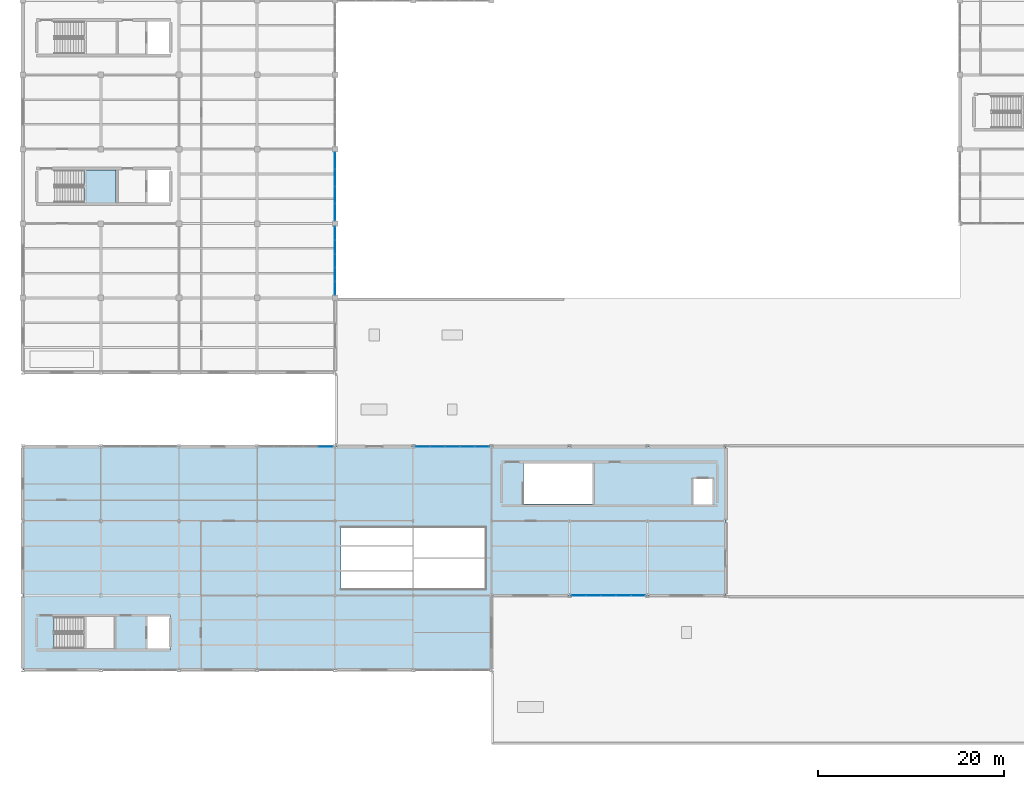
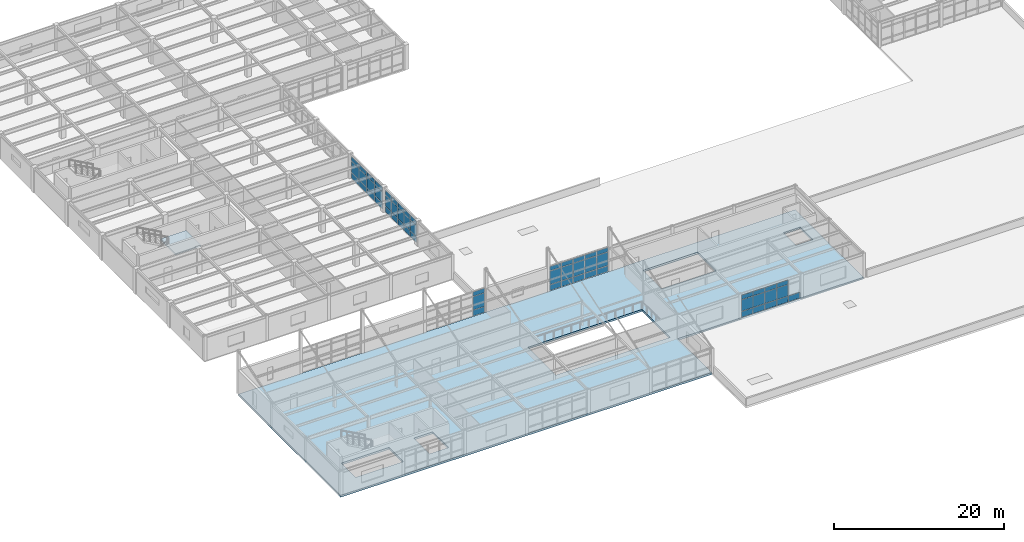
# One storey, part 37 of 96: 58 plates, 2 slabs, 6 elements without a shape of their own.
"""IFC4 building model written with IfcOpenShell, lengths in metres."""

from ifc_helpers import new_model, si_unit, direction, frame, origin, origin_2d, place, context, subcontext, project, spatial, polyline, rectangle, outline, extrude, material, layer, layer_set, type_object, element, aggregate, save


model = new_model("IFC4")

# Units and contexts
model_context = context("Model", 3, precision=1e-05, world=origin(), true_north=direction((0.0, 1.0)))
body_context = subcontext(model_context, "Body", "Model", "MODEL_VIEW")
ifc_project = project(units=[si_unit("LENGTHUNIT", "METRE"), si_unit("AREAUNIT", "SQUARE_METRE"), si_unit("VOLUMEUNIT", "CUBIC_METRE"), si_unit("PLANEANGLEUNIT", "RADIAN"), si_unit("MASSUNIT", "GRAM", prefix="KILO")], contexts=[model_context])

# Site, building, storey
site_placement = place(None, origin())
site = spatial("IfcSite", under=ifc_project, at=site_placement, CompositionType="ELEMENT")
building_placement = place(site_placement, origin())
building = spatial("IfcBuilding", under=site, at=building_placement, Name="Kranzveld Transit Interchange", CompositionType="ELEMENT")
storey_placement = place(building_placement, frame((0.0, 0.0, 9.52001953125)))
storey = spatial("IfcBuildingStorey", under=building, at=storey_placement, Name="L02", CompositionType="ELEMENT", Elevation=9.52001953125)

# Slab
ifc_material_1 = material(Name="Concrete C35/45", Category="concrete")
ifc_layer_1 = layer(ifc_material_1, 0.280029296875)
ifc_layer_set_1 = layer_set([ifc_layer_1], Name="Concrete C35/45")
slab_type_1 = type_object("IfcSlabType", Name="Composite Floor Slab 280 C35/45", PredefinedType="FLOOR", material=ifc_layer_set_1)
slab_1_placement = place(storey_placement, frame((0.0, 0.0, -0.280029296875)))
element("IfcSlab", 1, at=slab_1_placement, inside=storey, type_object=slab_type_1, Name="L02 Suspended Floor Slab 1", PredefinedType="FLOOR", context=body_context, shape_type="SweptSolid", body=[
    extrude(outline(polyline([(0.0, 40.0), (50.39990234375, 40.0), (75.60009765625, 40.0), (75.60009765625, 24.0), (50.39990234375, 24.0), (50.39990234375, 16.0), (0.0, 16.0), (0.0, 40.0)]), holes=[polyline([(9.85009765625, 21.679931640625), (3.367919921875, 21.679931640625), (3.367919921875, 18.320068359375), (9.85009765625, 18.320068359375), (9.85009765625, 21.679931640625)]), polyline([(15.89990234375, 21.860107421875), (13.324951171875, 21.860107421875), (13.324951171875, 18.139892578125), (15.89990234375, 18.139892578125), (15.89990234375, 21.860107421875)]), polyline([(49.75, 31.300048828125), (34.25, 31.300048828125), (34.25, 24.699951171875), (49.75, 24.699951171875), (49.75, 31.300048828125)]), polyline([(74.300048828125, 36.639892578125), (72.0, 36.639892578125), (72.0, 33.639892578125), (74.300048828125, 33.639892578125), (74.300048828125, 36.639892578125)]), polyline([(61.300048828125, 33.820068359375), (61.300048828125, 38.179931640625), (53.867919921875, 38.179931640625), (53.867919921875, 33.820068359375), (61.300048828125, 33.820068359375)])]), origin(), (0.0, 0.0, 1.0), 0.280029296875),
])

# Curtain wall, plates
ifc_material_2 = material(Name="Bronze-anodised thermally broken aluminium", Category="aluminium")
ifc_layer_2 = layer(ifc_material_2, 0.14990234375)
ifc_layer_set_2 = layer_set([ifc_layer_2], Name="Bronze-anodised thermally broken aluminium")
curtain_wall_type_1 = type_object("IfcCurtainWallType", Name="Public Passage Clerestory Screen CW-4", PredefinedType="USERDEFINED", material=ifc_layer_set_2)
curtain_wall_1_placement = place(storey_placement, origin())
curtain_wall_1 = element("IfcCurtainWall", 2, at=curtain_wall_1_placement, inside=storey, type_object=curtain_wall_type_1, Name="L02 Curtain Wall 04/F-05/F", ObjectType="CURTAIN WALL", PredefinedType="USERDEFINED")
ifc_material_3 = material(Name="Solar-control double glazing", Category="glass")
ifc_layer_3 = layer(ifc_material_3, 0.0419921875)
ifc_layer_set_3 = layer_set([ifc_layer_3], Name="Solar-control double glazing")
plate_type_1 = type_object("IfcPlateType", Name="Curtain Panel Laminated Glazing 42", PredefinedType="CURTAIN_PANEL", material=ifc_layer_set_3)
plate_1_placement = place(storey_placement, frame((32.59521484375, 40.0, 0.06005859375), z_axis=(0.0, 0.0, 1.0), x_axis=(1.0, 0.0, 0.0)))
plate_1 = element("IfcPlate", 3, at=plate_1_placement, type_object=plate_type_1, Name="CW-4 panel 5.1", PredefinedType="CURTAIN_PANEL", context=body_context, shape_type="SweptSolid", body=[
    extrude(rectangle(XDim=1.51513671875, YDim=0.0419921875, at=origin_2d()), origin(), (0.0, 0.0, 1.0), 0.81005859375),
])
plate_2_placement = place(storey_placement, frame((32.59521484375, 40.0, 0.93017578125), z_axis=(0.0, 0.0, 1.0), x_axis=(1.0, 0.0, 0.0)))
plate_2 = element("IfcPlate", 4, at=plate_2_placement, type_object=plate_type_1, Name="CW-4 panel 5.2", PredefinedType="CURTAIN_PANEL", context=body_context, shape_type="SweptSolid", body=[
    extrude(rectangle(XDim=1.51513671875, YDim=0.0419921875, at=origin_2d()), origin(), (0.0, 0.0, 1.0), 1.909912109375),
])
plate_3_placement = place(storey_placement, frame((32.59521484375, 40.0, 2.89990234375), z_axis=(0.0, 0.0, 1.0), x_axis=(1.0, 0.0, 0.0)))
plate_3 = element("IfcPlate", 5, at=plate_3_placement, type_object=plate_type_1, Name="CW-4 panel 5.3", PredefinedType="CURTAIN_PANEL", context=body_context, shape_type="SweptSolid", body=[
    extrude(rectangle(XDim=1.51513671875, YDim=0.0419921875, at=origin_2d()), origin(), (0.0, 0.0, 1.0), 0.610107421875),
])
aggregate(curtain_wall_1, [plate_1, plate_2, plate_3])

ifc_material_4 = material(Name="Bronze-anodised thermally broken aluminium", Category="aluminium")
ifc_layer_4 = layer(ifc_material_4, 0.18505859375)
ifc_layer_set_4 = layer_set([ifc_layer_4], Name="Bronze-anodised thermally broken aluminium")
curtain_wall_type_2 = type_object("IfcCurtainWallType", Name="Control Crown Observation Facade CW-5", PredefinedType="USERDEFINED", material=ifc_layer_set_4)
curtain_wall_2_placement = place(storey_placement, origin())
curtain_wall_2 = element("IfcCurtainWall", 6, at=curtain_wall_2_placement, inside=storey, type_object=curtain_wall_type_2, Name="L02 Curtain Wall 06/F-07/F", ObjectType="CURTAIN WALL", PredefinedType="USERDEFINED")
ifc_material_5 = material(Name="Solar-control double glazing", Category="glass")
ifc_layer_5 = layer(ifc_material_5, 0.035888671875)
ifc_layer_set_5 = layer_set([ifc_layer_5], Name="Solar-control double glazing")
plate_type_2 = type_object("IfcPlateType", Name="Curtain Panel Triple Glazing 36", PredefinedType="CURTAIN_PANEL", material=ifc_layer_set_5)
plate_4_placement = place(storey_placement, frame((43.006103515625, 40.0, 0.06494140625), z_axis=(0.0, 0.0, 1.0), x_axis=(1.0, 0.0, 0.0)))
plate_4 = element("IfcPlate", 7, at=plate_4_placement, type_object=plate_type_2, Name="CW-5 panel 1.1", PredefinedType="CURTAIN_PANEL", context=body_context, shape_type="SweptSolid", body=[
    extrude(rectangle(XDim=1.507568359375, YDim=0.035888671875, at=origin_2d()), origin(), (0.0, 0.0, 1.0), 0.802490234375),
])
plate_5_placement = place(storey_placement, frame((43.006103515625, 40.0, 0.9326171875), z_axis=(0.0, 0.0, 1.0), x_axis=(1.0, 0.0, 0.0)))
plate_5 = element("IfcPlate", 8, at=plate_5_placement, type_object=plate_type_2, Name="CW-5 panel 1.2", PredefinedType="CURTAIN_PANEL", context=body_context, shape_type="SweptSolid", body=[
    extrude(rectangle(XDim=1.507568359375, YDim=0.035888671875, at=origin_2d()), origin(), (0.0, 0.0, 1.0), 1.905029296875),
])
plate_6_placement = place(storey_placement, frame((43.006103515625, 40.0, 2.90234375), z_axis=(0.0, 0.0, 1.0), x_axis=(1.0, 0.0, 0.0)))
plate_6 = element("IfcPlate", 9, at=plate_6_placement, type_object=plate_type_2, Name="CW-5 panel 1.3", PredefinedType="CURTAIN_PANEL", context=body_context, shape_type="SweptSolid", body=[
    extrude(rectangle(XDim=1.507568359375, YDim=0.035888671875, at=origin_2d()), origin(), (0.0, 0.0, 1.0), 0.6025390625),
])
plate_7_placement = place(storey_placement, frame((44.594970703125, 40.0, 0.06494140625), z_axis=(0.0, 0.0, 1.0), x_axis=(1.0, 0.0, 0.0)))
plate_7 = element("IfcPlate", 10, at=plate_7_placement, type_object=plate_type_2, Name="CW-5 panel 2.1", PredefinedType="CURTAIN_PANEL", context=body_context, shape_type="SweptSolid", body=[
    extrude(rectangle(XDim=1.5400390625, YDim=0.035888671875, at=origin_2d()), origin(), (0.0, 0.0, 1.0), 0.802490234375),
])
plate_8_placement = place(storey_placement, frame((44.594970703125, 40.0, 0.9326171875), z_axis=(0.0, 0.0, 1.0), x_axis=(1.0, 0.0, 0.0)))
plate_8 = element("IfcPlate", 11, at=plate_8_placement, type_object=plate_type_2, Name="CW-5 panel 2.2", PredefinedType="CURTAIN_PANEL", context=body_context, shape_type="SweptSolid", body=[
    extrude(rectangle(XDim=1.5400390625, YDim=0.035888671875, at=origin_2d()), origin(), (0.0, 0.0, 1.0), 1.905029296875),
])
plate_9_placement = place(storey_placement, frame((44.594970703125, 40.0, 2.90234375), z_axis=(0.0, 0.0, 1.0), x_axis=(1.0, 0.0, 0.0)))
plate_9 = element("IfcPlate", 12, at=plate_9_placement, type_object=plate_type_2, Name="CW-5 panel 2.3", PredefinedType="CURTAIN_PANEL", context=body_context, shape_type="SweptSolid", body=[
    extrude(rectangle(XDim=1.5400390625, YDim=0.035888671875, at=origin_2d()), origin(), (0.0, 0.0, 1.0), 0.6025390625),
])
plate_10_placement = place(storey_placement, frame((46.199951171875, 40.0, 0.06494140625), z_axis=(0.0, 0.0, 1.0), x_axis=(1.0, 0.0, 0.0)))
plate_10 = element("IfcPlate", 13, at=plate_10_placement, type_object=plate_type_2, Name="CW-5 panel 3.1", PredefinedType="CURTAIN_PANEL", context=body_context, shape_type="SweptSolid", body=[
    extrude(rectangle(XDim=1.5400390625, YDim=0.035888671875, at=origin_2d()), origin(), (0.0, 0.0, 1.0), 0.802490234375),
])
plate_11_placement = place(storey_placement, frame((46.199951171875, 40.0, 0.9326171875), z_axis=(0.0, 0.0, 1.0), x_axis=(1.0, 0.0, 0.0)))
plate_11 = element("IfcPlate", 14, at=plate_11_placement, type_object=plate_type_2, Name="CW-5 panel 3.2", PredefinedType="CURTAIN_PANEL", context=body_context, shape_type="SweptSolid", body=[
    extrude(rectangle(XDim=1.5400390625, YDim=0.035888671875, at=origin_2d()), origin(), (0.0, 0.0, 1.0), 1.905029296875),
])
plate_12_placement = place(storey_placement, frame((46.199951171875, 40.0, 2.90234375), z_axis=(0.0, 0.0, 1.0), x_axis=(1.0, 0.0, 0.0)))
plate_12 = element("IfcPlate", 15, at=plate_12_placement, type_object=plate_type_2, Name="CW-5 panel 3.3", PredefinedType="CURTAIN_PANEL", context=body_context, shape_type="SweptSolid", body=[
    extrude(rectangle(XDim=1.5400390625, YDim=0.035888671875, at=origin_2d()), origin(), (0.0, 0.0, 1.0), 0.6025390625),
])
plate_13_placement = place(storey_placement, frame((47.80517578125, 40.0, 0.06494140625), z_axis=(0.0, 0.0, 1.0), x_axis=(1.0, 0.0, 0.0)))
plate_13 = element("IfcPlate", 16, at=plate_13_placement, type_object=plate_type_2, Name="CW-5 panel 4.1", PredefinedType="CURTAIN_PANEL", context=body_context, shape_type="SweptSolid", body=[
    extrude(rectangle(XDim=1.5400390625, YDim=0.035888671875, at=origin_2d()), origin(), (0.0, 0.0, 1.0), 0.802490234375),
])
plate_14_placement = place(storey_placement, frame((47.80517578125, 40.0, 0.9326171875), z_axis=(0.0, 0.0, 1.0), x_axis=(1.0, 0.0, 0.0)))
plate_14 = element("IfcPlate", 17, at=plate_14_placement, type_object=plate_type_2, Name="CW-5 panel 4.2", PredefinedType="CURTAIN_PANEL", context=body_context, shape_type="SweptSolid", body=[
    extrude(rectangle(XDim=1.5400390625, YDim=0.035888671875, at=origin_2d()), origin(), (0.0, 0.0, 1.0), 1.905029296875),
])
plate_15_placement = place(storey_placement, frame((47.80517578125, 40.0, 2.90234375), z_axis=(0.0, 0.0, 1.0), x_axis=(1.0, 0.0, 0.0)))
plate_15 = element("IfcPlate", 18, at=plate_15_placement, type_object=plate_type_2, Name="CW-5 panel 4.3", PredefinedType="CURTAIN_PANEL", context=body_context, shape_type="SweptSolid", body=[
    extrude(rectangle(XDim=1.5400390625, YDim=0.035888671875, at=origin_2d()), origin(), (0.0, 0.0, 1.0), 0.6025390625),
])
plate_16_placement = place(storey_placement, frame((49.393798828125, 40.0, 0.06494140625), z_axis=(0.0, 0.0, 1.0), x_axis=(1.0, 0.0, 0.0)))
plate_16 = element("IfcPlate", 19, at=plate_16_placement, type_object=plate_type_2, Name="CW-5 panel 5.1", PredefinedType="CURTAIN_PANEL", context=body_context, shape_type="SweptSolid", body=[
    extrude(rectangle(XDim=1.507568359375, YDim=0.035888671875, at=origin_2d()), origin(), (0.0, 0.0, 1.0), 0.802490234375),
])
plate_17_placement = place(storey_placement, frame((49.393798828125, 40.0, 0.9326171875), z_axis=(0.0, 0.0, 1.0), x_axis=(1.0, 0.0, 0.0)))
plate_17 = element("IfcPlate", 20, at=plate_17_placement, type_object=plate_type_2, Name="CW-5 panel 5.2", PredefinedType="CURTAIN_PANEL", context=body_context, shape_type="SweptSolid", body=[
    extrude(rectangle(XDim=1.507568359375, YDim=0.035888671875, at=origin_2d()), origin(), (0.0, 0.0, 1.0), 1.905029296875),
])
plate_18_placement = place(storey_placement, frame((49.393798828125, 40.0, 2.90234375), z_axis=(0.0, 0.0, 1.0), x_axis=(1.0, 0.0, 0.0)))
plate_18 = element("IfcPlate", 21, at=plate_18_placement, type_object=plate_type_2, Name="CW-5 panel 5.3", PredefinedType="CURTAIN_PANEL", context=body_context, shape_type="SweptSolid", body=[
    extrude(rectangle(XDim=1.507568359375, YDim=0.035888671875, at=origin_2d()), origin(), (0.0, 0.0, 1.0), 0.6025390625),
])
aggregate(curtain_wall_2, [plate_4, plate_5, plate_6, plate_7, plate_8, plate_9, plate_10, plate_11, plate_12, plate_13, plate_14, plate_15, plate_16, plate_17, plate_18])

ifc_material_6 = material(Name="Bronze-anodised thermally broken aluminium", Category="aluminium")
ifc_layer_6 = layer(ifc_material_6, 0.1650390625)
ifc_layer_set_6 = layer_set([ifc_layer_6], Name="Bronze-anodised thermally broken aluminium")
curtain_wall_type_3 = type_object("IfcCurtainWallType", Name="Sunny Court Arcade Curtain Wall CW-2", PredefinedType="USERDEFINED", material=ifc_layer_set_6)
curtain_wall_3_placement = place(storey_placement, origin())
curtain_wall_3 = element("IfcCurtainWall", 22, at=curtain_wall_3_placement, inside=storey, type_object=curtain_wall_type_3, Name="L02 Curtain Wall 05/H-05/J", ObjectType="CURTAIN WALL", PredefinedType="USERDEFINED")
ifc_material_7 = material(Name="Pretoria red-purple clinker clay face brick, 35 MPa", Category="masonry")
ifc_layer_7 = layer(ifc_material_7, 0.050048828125)
ifc_layer_set_7 = layer_set([ifc_layer_7], Name="Pretoria red-purple clinker clay face brick, 35 MPa")
plate_type_3 = type_object("IfcPlateType", Name="Curtain Spandrel Clinker Tile 50", PredefinedType="CURTAIN_PANEL", material=ifc_layer_set_7)
plate_19_placement = place(storey_placement, frame((33.60009765625, 57.05615234375, 0.06005859375), z_axis=(0.0, 0.0, 1.0), x_axis=(0.0, 1.0, 0.0)))
plate_19 = element("IfcPlate", 23, at=plate_19_placement, type_object=plate_type_3, Name="CW-2 panel 1.1", PredefinedType="CURTAIN_PANEL", context=body_context, shape_type="SweptSolid", body=[
    extrude(rectangle(XDim=1.382568359375, YDim=0.050048828125, at=origin_2d()), origin(), (0.0, 0.0, 1.0), 0.81005859375),
])
plate_20_placement = place(storey_placement, frame((33.60009765625, 57.05615234375, 0.929931640625), z_axis=(0.0, 0.0, 1.0), x_axis=(0.0, 1.0, 0.0)))
plate_20 = element("IfcPlate", 24, at=plate_20_placement, type_object=plate_type_3, Name="CW-2 panel 1.2", PredefinedType="CURTAIN_PANEL", context=body_context, shape_type="SweptSolid", body=[
    extrude(rectangle(XDim=1.382568359375, YDim=0.050048828125, at=origin_2d()), origin(), (0.0, 0.0, 1.0), 1.55859375),
])
plate_21_placement = place(storey_placement, frame((33.60009765625, 57.05615234375, 2.54833984375), z_axis=(0.0, 0.0, 1.0), x_axis=(0.0, 1.0, 0.0)))
plate_21 = element("IfcPlate", 25, at=plate_21_placement, type_object=plate_type_3, Name="CW-2 panel 1.3", PredefinedType="CURTAIN_PANEL", context=body_context, shape_type="SweptSolid", body=[
    extrude(rectangle(XDim=1.382568359375, YDim=0.050048828125, at=origin_2d()), origin(), (0.0, 0.0, 1.0), 0.610107421875),
])
plate_22_placement = place(storey_placement, frame((33.60009765625, 58.52001953125, 0.06005859375), z_axis=(0.0, 0.0, 1.0), x_axis=(0.0, 1.0, 0.0)))
plate_22 = element("IfcPlate", 26, at=plate_22_placement, type_object=plate_type_3, Name="CW-2 panel 2.1", PredefinedType="CURTAIN_PANEL", context=body_context, shape_type="SweptSolid", body=[
    extrude(rectangle(XDim=1.4150390625, YDim=0.050048828125, at=origin_2d()), origin(), (0.0, 0.0, 1.0), 0.81005859375),
])
plate_23_placement = place(storey_placement, frame((33.60009765625, 58.52001953125, 0.929931640625), z_axis=(0.0, 0.0, 1.0), x_axis=(0.0, 1.0, 0.0)))
plate_23 = element("IfcPlate", 27, at=plate_23_placement, type_object=plate_type_3, Name="CW-2 panel 2.2", PredefinedType="CURTAIN_PANEL", context=body_context, shape_type="SweptSolid", body=[
    extrude(rectangle(XDim=1.4150390625, YDim=0.050048828125, at=origin_2d()), origin(), (0.0, 0.0, 1.0), 1.55859375),
])
plate_24_placement = place(storey_placement, frame((33.60009765625, 58.52001953125, 2.54833984375), z_axis=(0.0, 0.0, 1.0), x_axis=(0.0, 1.0, 0.0)))
plate_24 = element("IfcPlate", 28, at=plate_24_placement, type_object=plate_type_3, Name="CW-2 panel 2.3", PredefinedType="CURTAIN_PANEL", context=body_context, shape_type="SweptSolid", body=[
    extrude(rectangle(XDim=1.4150390625, YDim=0.050048828125, at=origin_2d()), origin(), (0.0, 0.0, 1.0), 0.610107421875),
])
plate_25_placement = place(storey_placement, frame((33.60009765625, 60.0, 0.06005859375), z_axis=(0.0, 0.0, 1.0), x_axis=(0.0, 1.0, 0.0)))
plate_25 = element("IfcPlate", 29, at=plate_25_placement, type_object=plate_type_3, Name="CW-2 panel 3.1", PredefinedType="CURTAIN_PANEL", context=body_context, shape_type="SweptSolid", body=[
    extrude(rectangle(XDim=1.4150390625, YDim=0.050048828125, at=origin_2d()), origin(), (0.0, 0.0, 1.0), 0.81005859375),
])
plate_26_placement = place(storey_placement, frame((33.60009765625, 60.0, 0.929931640625), z_axis=(0.0, 0.0, 1.0), x_axis=(0.0, 1.0, 0.0)))
plate_26 = element("IfcPlate", 30, at=plate_26_placement, type_object=plate_type_3, Name="CW-2 panel 3.2", PredefinedType="CURTAIN_PANEL", context=body_context, shape_type="SweptSolid", body=[
    extrude(rectangle(XDim=1.4150390625, YDim=0.050048828125, at=origin_2d()), origin(), (0.0, 0.0, 1.0), 1.55859375),
])
plate_27_placement = place(storey_placement, frame((33.60009765625, 60.0, 2.54833984375), z_axis=(0.0, 0.0, 1.0), x_axis=(0.0, 1.0, 0.0)))
plate_27 = element("IfcPlate", 31, at=plate_27_placement, type_object=plate_type_3, Name="CW-2 panel 3.3", PredefinedType="CURTAIN_PANEL", context=body_context, shape_type="SweptSolid", body=[
    extrude(rectangle(XDim=1.4150390625, YDim=0.050048828125, at=origin_2d()), origin(), (0.0, 0.0, 1.0), 0.610107421875),
])
plate_28_placement = place(storey_placement, frame((33.60009765625, 61.47998046875, 0.06005859375), z_axis=(0.0, 0.0, 1.0), x_axis=(0.0, 1.0, 0.0)))
plate_28 = element("IfcPlate", 32, at=plate_28_placement, type_object=plate_type_3, Name="CW-2 panel 4.1", PredefinedType="CURTAIN_PANEL", context=body_context, shape_type="SweptSolid", body=[
    extrude(rectangle(XDim=1.4150390625, YDim=0.050048828125, at=origin_2d()), origin(), (0.0, 0.0, 1.0), 0.81005859375),
])
plate_29_placement = place(storey_placement, frame((33.60009765625, 61.47998046875, 0.929931640625), z_axis=(0.0, 0.0, 1.0), x_axis=(0.0, 1.0, 0.0)))
plate_29 = element("IfcPlate", 33, at=plate_29_placement, type_object=plate_type_3, Name="CW-2 panel 4.2", PredefinedType="CURTAIN_PANEL", context=body_context, shape_type="SweptSolid", body=[
    extrude(rectangle(XDim=1.4150390625, YDim=0.050048828125, at=origin_2d()), origin(), (0.0, 0.0, 1.0), 1.55859375),
])
plate_30_placement = place(storey_placement, frame((33.60009765625, 61.47998046875, 2.54833984375), z_axis=(0.0, 0.0, 1.0), x_axis=(0.0, 1.0, 0.0)))
plate_30 = element("IfcPlate", 34, at=plate_30_placement, type_object=plate_type_3, Name="CW-2 panel 4.3", PredefinedType="CURTAIN_PANEL", context=body_context, shape_type="SweptSolid", body=[
    extrude(rectangle(XDim=1.4150390625, YDim=0.050048828125, at=origin_2d()), origin(), (0.0, 0.0, 1.0), 0.610107421875),
])
plate_31_placement = place(storey_placement, frame((33.60009765625, 62.94384765625, 0.06005859375), z_axis=(0.0, 0.0, 1.0), x_axis=(0.0, 1.0, 0.0)))
plate_31 = element("IfcPlate", 35, at=plate_31_placement, type_object=plate_type_3, Name="CW-2 panel 5.1", PredefinedType="CURTAIN_PANEL", context=body_context, shape_type="SweptSolid", body=[
    extrude(rectangle(XDim=1.382568359375, YDim=0.050048828125, at=origin_2d()), origin(), (0.0, 0.0, 1.0), 0.81005859375),
])
plate_32_placement = place(storey_placement, frame((33.60009765625, 62.94384765625, 0.929931640625), z_axis=(0.0, 0.0, 1.0), x_axis=(0.0, 1.0, 0.0)))
plate_32 = element("IfcPlate", 36, at=plate_32_placement, type_object=plate_type_3, Name="CW-2 panel 5.2", PredefinedType="CURTAIN_PANEL", context=body_context, shape_type="SweptSolid", body=[
    extrude(rectangle(XDim=1.382568359375, YDim=0.050048828125, at=origin_2d()), origin(), (0.0, 0.0, 1.0), 1.55859375),
])
plate_33_placement = place(storey_placement, frame((33.60009765625, 62.94384765625, 2.54833984375), z_axis=(0.0, 0.0, 1.0), x_axis=(0.0, 1.0, 0.0)))
plate_33 = element("IfcPlate", 37, at=plate_33_placement, type_object=plate_type_3, Name="CW-2 panel 5.3", PredefinedType="CURTAIN_PANEL", context=body_context, shape_type="SweptSolid", body=[
    extrude(rectangle(XDim=1.382568359375, YDim=0.050048828125, at=origin_2d()), origin(), (0.0, 0.0, 1.0), 0.610107421875),
])
aggregate(curtain_wall_3, [plate_19, plate_20, plate_21, plate_22, plate_23, plate_24, plate_25, plate_26, plate_27, plate_28, plate_29, plate_30, plate_31, plate_32, plate_33])

ifc_material_8 = material(Name="Bronze-anodised thermally broken aluminium", Category="aluminium")
ifc_layer_8 = layer(ifc_material_8, 0.159912109375)
ifc_layer_set_8 = layer_set([ifc_layer_8], Name="Bronze-anodised thermally broken aluminium")
curtain_wall_type_4 = type_object("IfcCurtainWallType", Name="Bus Boarding Glazed Screen CW-3", PredefinedType="USERDEFINED", material=ifc_layer_set_8)
curtain_wall_4_placement = place(storey_placement, origin())
curtain_wall_4 = element("IfcCurtainWall", 38, at=curtain_wall_4_placement, inside=storey, type_object=curtain_wall_type_4, Name="L02 Curtain Wall 05/J-05/K", ObjectType="CURTAIN WALL", PredefinedType="USERDEFINED")
ifc_material_9 = material(Name="Bronze-anodised thermally broken aluminium", Category="aluminium")
ifc_layer_9 = layer(ifc_material_9, 0.053955078125)
ifc_layer_set_9 = layer_set([ifc_layer_9], Name="Bronze-anodised thermally broken aluminium")
plate_type_4 = type_object("IfcPlateType", Name="Curtain Spandrel Insulated Alu 54", PredefinedType="CURTAIN_PANEL", material=ifc_layer_set_9)
plate_34_placement = place(storey_placement, frame((33.60009765625, 65.239990234375, 0.06494140625), z_axis=(0.0, 0.0, 1.0), x_axis=(0.0, 1.0, 0.0)))
plate_34 = element("IfcPlate", 39, at=plate_34_placement, type_object=plate_type_4, Name="CW-3 panel 1.1", PredefinedType="CURTAIN_PANEL", context=body_context, shape_type="SweptSolid", body=[
    extrude(rectangle(XDim=1.760009765625, YDim=0.053955078125, at=origin_2d()), origin(), (0.0, 0.0, 1.0), 0.802490234375),
])
plate_35_placement = place(storey_placement, frame((33.60009765625, 65.239990234375, 0.932373046875), z_axis=(0.0, 0.0, 1.0), x_axis=(0.0, 1.0, 0.0)))
plate_35 = element("IfcPlate", 40, at=plate_35_placement, type_object=plate_type_4, Name="CW-3 panel 1.2", PredefinedType="CURTAIN_PANEL", context=body_context, shape_type="SweptSolid", body=[
    extrude(rectangle(XDim=1.760009765625, YDim=0.053955078125, at=origin_2d()), origin(), (0.0, 0.0, 1.0), 1.5537109375),
])
plate_36_placement = place(storey_placement, frame((33.60009765625, 65.239990234375, 2.551025390625), z_axis=(0.0, 0.0, 1.0), x_axis=(0.0, 1.0, 0.0)))
plate_36 = element("IfcPlate", 41, at=plate_36_placement, type_object=plate_type_4, Name="CW-3 panel 1.3", PredefinedType="CURTAIN_PANEL", context=body_context, shape_type="SweptSolid", body=[
    extrude(rectangle(XDim=1.760009765625, YDim=0.053955078125, at=origin_2d()), origin(), (0.0, 0.0, 1.0), 0.6025390625),
])
plate_37_placement = place(storey_placement, frame((33.60009765625, 67.074951171875, 0.06494140625), z_axis=(0.0, 0.0, 1.0), x_axis=(0.0, 1.0, 0.0)))
plate_37 = element("IfcPlate", 42, at=plate_37_placement, type_object=plate_type_4, Name="CW-3 panel 2.1", PredefinedType="CURTAIN_PANEL", context=body_context, shape_type="SweptSolid", body=[
    extrude(rectangle(XDim=1.7900390625, YDim=0.053955078125, at=origin_2d()), origin(), (0.0, 0.0, 1.0), 0.802490234375),
])
plate_38_placement = place(storey_placement, frame((33.60009765625, 67.074951171875, 0.932373046875), z_axis=(0.0, 0.0, 1.0), x_axis=(0.0, 1.0, 0.0)))
plate_38 = element("IfcPlate", 43, at=plate_38_placement, type_object=plate_type_4, Name="CW-3 panel 2.2", PredefinedType="CURTAIN_PANEL", context=body_context, shape_type="SweptSolid", body=[
    extrude(rectangle(XDim=1.7900390625, YDim=0.053955078125, at=origin_2d()), origin(), (0.0, 0.0, 1.0), 1.5537109375),
])
plate_39_placement = place(storey_placement, frame((33.60009765625, 67.074951171875, 2.551025390625), z_axis=(0.0, 0.0, 1.0), x_axis=(0.0, 1.0, 0.0)))
plate_39 = element("IfcPlate", 44, at=plate_39_placement, type_object=plate_type_4, Name="CW-3 panel 2.3", PredefinedType="CURTAIN_PANEL", context=body_context, shape_type="SweptSolid", body=[
    extrude(rectangle(XDim=1.7900390625, YDim=0.053955078125, at=origin_2d()), origin(), (0.0, 0.0, 1.0), 0.6025390625),
])
plate_40_placement = place(storey_placement, frame((33.60009765625, 68.925048828125, 0.06494140625), z_axis=(0.0, 0.0, 1.0), x_axis=(0.0, 1.0, 0.0)))
plate_40 = element("IfcPlate", 45, at=plate_40_placement, type_object=plate_type_4, Name="CW-3 panel 3.1", PredefinedType="CURTAIN_PANEL", context=body_context, shape_type="SweptSolid", body=[
    extrude(rectangle(XDim=1.7900390625, YDim=0.053955078125, at=origin_2d()), origin(), (0.0, 0.0, 1.0), 0.802490234375),
])
plate_41_placement = place(storey_placement, frame((33.60009765625, 68.925048828125, 0.932373046875), z_axis=(0.0, 0.0, 1.0), x_axis=(0.0, 1.0, 0.0)))
plate_41 = element("IfcPlate", 46, at=plate_41_placement, type_object=plate_type_4, Name="CW-3 panel 3.2", PredefinedType="CURTAIN_PANEL", context=body_context, shape_type="SweptSolid", body=[
    extrude(rectangle(XDim=1.7900390625, YDim=0.053955078125, at=origin_2d()), origin(), (0.0, 0.0, 1.0), 1.5537109375),
])
plate_42_placement = place(storey_placement, frame((33.60009765625, 68.925048828125, 2.551025390625), z_axis=(0.0, 0.0, 1.0), x_axis=(0.0, 1.0, 0.0)))
plate_42 = element("IfcPlate", 47, at=plate_42_placement, type_object=plate_type_4, Name="CW-3 panel 3.3", PredefinedType="CURTAIN_PANEL", context=body_context, shape_type="SweptSolid", body=[
    extrude(rectangle(XDim=1.7900390625, YDim=0.053955078125, at=origin_2d()), origin(), (0.0, 0.0, 1.0), 0.6025390625),
])
plate_43_placement = place(storey_placement, frame((33.60009765625, 70.760009765625, 0.06494140625), z_axis=(0.0, 0.0, 1.0), x_axis=(0.0, 1.0, 0.0)))
plate_43 = element("IfcPlate", 48, at=plate_43_placement, type_object=plate_type_4, Name="CW-3 panel 4.1", PredefinedType="CURTAIN_PANEL", context=body_context, shape_type="SweptSolid", body=[
    extrude(rectangle(XDim=1.760009765625, YDim=0.053955078125, at=origin_2d()), origin(), (0.0, 0.0, 1.0), 0.802490234375),
])
plate_44_placement = place(storey_placement, frame((33.60009765625, 70.760009765625, 0.932373046875), z_axis=(0.0, 0.0, 1.0), x_axis=(0.0, 1.0, 0.0)))
plate_44 = element("IfcPlate", 49, at=plate_44_placement, type_object=plate_type_4, Name="CW-3 panel 4.2", PredefinedType="CURTAIN_PANEL", context=body_context, shape_type="SweptSolid", body=[
    extrude(rectangle(XDim=1.760009765625, YDim=0.053955078125, at=origin_2d()), origin(), (0.0, 0.0, 1.0), 1.5537109375),
])
plate_45_placement = place(storey_placement, frame((33.60009765625, 70.760009765625, 2.551025390625), z_axis=(0.0, 0.0, 1.0), x_axis=(0.0, 1.0, 0.0)))
plate_45 = element("IfcPlate", 50, at=plate_45_placement, type_object=plate_type_4, Name="CW-3 panel 4.3", PredefinedType="CURTAIN_PANEL", context=body_context, shape_type="SweptSolid", body=[
    extrude(rectangle(XDim=1.760009765625, YDim=0.053955078125, at=origin_2d()), origin(), (0.0, 0.0, 1.0), 0.6025390625),
])
aggregate(curtain_wall_4, [plate_34, plate_35, plate_36, plate_37, plate_38, plate_39, plate_40, plate_41, plate_42, plate_43, plate_44, plate_45])

ifc_material_10 = material(Name="Bronze-anodised thermally broken aluminium", Category="aluminium")
ifc_layer_10 = layer(ifc_material_10, 0.155029296875)
ifc_layer_set_10 = layer_set([ifc_layer_10], Name="Bronze-anodised thermally broken aluminium")
curtain_wall_type_5 = type_object("IfcCurtainWallType", Name="Operations Courtyard Glazed Screen CW-6", PredefinedType="USERDEFINED", material=ifc_layer_set_10)
curtain_wall_5_placement = place(storey_placement, origin())
curtain_wall_5 = element("IfcCurtainWall", 51, at=curtain_wall_5_placement, inside=storey, type_object=curtain_wall_type_5, Name="L02 Curtain Wall 08/D-09/D", ObjectType="CURTAIN WALL", PredefinedType="USERDEFINED")
ifc_material_11 = material(Name="Ochre Pretoria sandstone cladding, 45 MPa", Category="masonry")
ifc_layer_11 = layer(ifc_material_11, 0.0458984375)
ifc_layer_set_11 = layer_set([ifc_layer_11], Name="Ochre Pretoria sandstone cladding, 45 MPa")
plate_type_5 = type_object("IfcPlateType", Name="Curtain Spandrel Sandstone 46", PredefinedType="CURTAIN_PANEL", material=ifc_layer_set_11)
plate_46_placement = place(storey_placement, frame((59.80615234375, 24.0, 0.06005859375), z_axis=(0.0, 0.0, 1.0), x_axis=(1.0, 0.0, 0.0)))
plate_46 = element("IfcPlate", 52, at=plate_46_placement, type_object=plate_type_5, Name="CW-6 panel 1.1", PredefinedType="CURTAIN_PANEL", context=body_context, shape_type="SweptSolid", body=[
    extrude(rectangle(XDim=1.507568359375, YDim=0.0458984375, at=origin_2d()), origin(), (0.0, 0.0, 1.0), 0.81005859375),
])
plate_47_placement = place(storey_placement, frame((59.80615234375, 24.0, 0.9296875), z_axis=(0.0, 0.0, 1.0), x_axis=(1.0, 0.0, 0.0)))
plate_47 = element("IfcPlate", 53, at=plate_47_placement, type_object=plate_type_5, Name="CW-6 panel 1.2", PredefinedType="CURTAIN_PANEL", context=body_context, shape_type="SweptSolid", body=[
    extrude(rectangle(XDim=1.507568359375, YDim=0.0458984375, at=origin_2d()), origin(), (0.0, 0.0, 1.0), 1.610107421875),
])
plate_48_placement = place(storey_placement, frame((59.80615234375, 24.0, 2.60009765625), z_axis=(0.0, 0.0, 1.0), x_axis=(1.0, 0.0, 0.0)))
plate_48 = element("IfcPlate", 54, at=plate_48_placement, type_object=plate_type_5, Name="CW-6 panel 1.3", PredefinedType="CURTAIN_PANEL", context=body_context, shape_type="SweptSolid", body=[
    extrude(rectangle(XDim=1.507568359375, YDim=0.0458984375, at=origin_2d()), origin(), (0.0, 0.0, 1.0), 0.610107421875),
])
plate_49_placement = place(storey_placement, frame((61.39501953125, 24.0, 0.06005859375), z_axis=(0.0, 0.0, 1.0), x_axis=(1.0, 0.0, 0.0)))
plate_49 = element("IfcPlate", 55, at=plate_49_placement, type_object=plate_type_5, Name="CW-6 panel 2.1", PredefinedType="CURTAIN_PANEL", context=body_context, shape_type="SweptSolid", body=[
    extrude(rectangle(XDim=1.5400390625, YDim=0.0458984375, at=origin_2d()), origin(), (0.0, 0.0, 1.0), 0.81005859375),
])
plate_50_placement = place(storey_placement, frame((61.39501953125, 24.0, 0.9296875), z_axis=(0.0, 0.0, 1.0), x_axis=(1.0, 0.0, 0.0)))
plate_50 = element("IfcPlate", 56, at=plate_50_placement, type_object=plate_type_5, Name="CW-6 panel 2.2", PredefinedType="CURTAIN_PANEL", context=body_context, shape_type="SweptSolid", body=[
    extrude(rectangle(XDim=1.5400390625, YDim=0.0458984375, at=origin_2d()), origin(), (0.0, 0.0, 1.0), 1.610107421875),
])
plate_51_placement = place(storey_placement, frame((61.39501953125, 24.0, 2.60009765625), z_axis=(0.0, 0.0, 1.0), x_axis=(1.0, 0.0, 0.0)))
plate_51 = element("IfcPlate", 57, at=plate_51_placement, type_object=plate_type_5, Name="CW-6 panel 2.3", PredefinedType="CURTAIN_PANEL", context=body_context, shape_type="SweptSolid", body=[
    extrude(rectangle(XDim=1.5400390625, YDim=0.0458984375, at=origin_2d()), origin(), (0.0, 0.0, 1.0), 0.610107421875),
])
plate_52_placement = place(storey_placement, frame((63.0, 24.0, 0.06005859375), z_axis=(0.0, 0.0, 1.0), x_axis=(1.0, 0.0, 0.0)))
plate_52 = element("IfcPlate", 58, at=plate_52_placement, type_object=plate_type_5, Name="CW-6 panel 3.1", PredefinedType="CURTAIN_PANEL", context=body_context, shape_type="SweptSolid", body=[
    extrude(rectangle(XDim=1.5400390625, YDim=0.0458984375, at=origin_2d()), origin(), (0.0, 0.0, 1.0), 0.81005859375),
])
plate_53_placement = place(storey_placement, frame((63.0, 24.0, 0.9296875), z_axis=(0.0, 0.0, 1.0), x_axis=(1.0, 0.0, 0.0)))
plate_53 = element("IfcPlate", 59, at=plate_53_placement, type_object=plate_type_5, Name="CW-6 panel 3.2", PredefinedType="CURTAIN_PANEL", context=body_context, shape_type="SweptSolid", body=[
    extrude(rectangle(XDim=1.5400390625, YDim=0.0458984375, at=origin_2d()), origin(), (0.0, 0.0, 1.0), 1.610107421875),
])
plate_54_placement = place(storey_placement, frame((63.0, 24.0, 2.60009765625), z_axis=(0.0, 0.0, 1.0), x_axis=(1.0, 0.0, 0.0)))
plate_54 = element("IfcPlate", 60, at=plate_54_placement, type_object=plate_type_5, Name="CW-6 panel 3.3", PredefinedType="CURTAIN_PANEL", context=body_context, shape_type="SweptSolid", body=[
    extrude(rectangle(XDim=1.5400390625, YDim=0.0458984375, at=origin_2d()), origin(), (0.0, 0.0, 1.0), 0.610107421875),
])
plate_55_placement = place(storey_placement, frame((64.60498046875, 24.0, 0.06005859375), z_axis=(0.0, 0.0, 1.0), x_axis=(1.0, 0.0, 0.0)))
plate_55 = element("IfcPlate", 61, at=plate_55_placement, type_object=plate_type_5, Name="CW-6 panel 4.1", PredefinedType="CURTAIN_PANEL", context=body_context, shape_type="SweptSolid", body=[
    extrude(rectangle(XDim=1.5400390625, YDim=0.0458984375, at=origin_2d()), origin(), (0.0, 0.0, 1.0), 0.81005859375),
])
plate_56_placement = place(storey_placement, frame((64.60498046875, 24.0, 0.9296875), z_axis=(0.0, 0.0, 1.0), x_axis=(1.0, 0.0, 0.0)))
plate_56 = element("IfcPlate", 62, at=plate_56_placement, type_object=plate_type_5, Name="CW-6 panel 4.2", PredefinedType="CURTAIN_PANEL", context=body_context, shape_type="SweptSolid", body=[
    extrude(rectangle(XDim=1.5400390625, YDim=0.0458984375, at=origin_2d()), origin(), (0.0, 0.0, 1.0), 1.610107421875),
])
plate_57_placement = place(storey_placement, frame((64.60498046875, 24.0, 2.60009765625), z_axis=(0.0, 0.0, 1.0), x_axis=(1.0, 0.0, 0.0)))
plate_57 = element("IfcPlate", 63, at=plate_57_placement, type_object=plate_type_5, Name="CW-6 panel 4.3", PredefinedType="CURTAIN_PANEL", context=body_context, shape_type="SweptSolid", body=[
    extrude(rectangle(XDim=1.5400390625, YDim=0.0458984375, at=origin_2d()), origin(), (0.0, 0.0, 1.0), 0.610107421875),
])
plate_58_placement = place(storey_placement, frame((66.19384765625, 24.0, 0.06005859375), z_axis=(0.0, 0.0, 1.0), x_axis=(1.0, 0.0, 0.0)))
plate_58 = element("IfcPlate", 64, at=plate_58_placement, type_object=plate_type_5, Name="CW-6 panel 5.1", PredefinedType="CURTAIN_PANEL", context=body_context, shape_type="SweptSolid", body=[
    extrude(rectangle(XDim=1.507568359375, YDim=0.0458984375, at=origin_2d()), origin(), (0.0, 0.0, 1.0), 0.81005859375),
])
aggregate(curtain_wall_5, [plate_46, plate_47, plate_48, plate_49, plate_50, plate_51, plate_52, plate_53, plate_54, plate_55, plate_56, plate_57, plate_58])

# Stair, slab
ifc_material_12 = material(Name="Concrete C35/45", Category="concrete")
stair_type = type_object("IfcStairType", Name="Dogleg Stair 1650W H3840 C35/45", PredefinedType="HALF_TURN_STAIR", material=ifc_material_12)
stair_placement = place(storey_placement, origin())
stair = element("IfcStair", 65, at=stair_placement, inside=storey, type_object=stair_type, Name="L02 Operations Core C1", PredefinedType="HALF_TURN_STAIR")
ifc_material_13 = material(Name="Concrete C35/45", Category="concrete")
ifc_layer_12 = layer(ifc_material_13, 0.199951171875)
ifc_layer_set_12 = layer_set([ifc_layer_12], Name="Concrete C35/45")
slab_type_2 = type_object("IfcSlabType", Name="Stair & Ramp Landing 200 C35/45", PredefinedType="LANDING", material=ifc_layer_set_12)
slab_2_placement = place(storey_placement, frame((0.0, 0.0, 1.719970703125)))
slab_2 = element("IfcSlab", 66, at=slab_2_placement, type_object=slab_type_2, Name="ST-C1 landing 1", PredefinedType="LANDING", context=body_context, shape_type="SweptSolid", body=[
    extrude(outline(polyline([(6.590087890625, 66.235107421875), (10.050048828125, 66.235107421875), (10.050048828125, 69.764892578125), (6.590087890625, 69.764892578125), (6.590087890625, 66.235107421875)])), origin(), (0.0, 0.0, 1.0), 0.199951171875),
])
aggregate(stair, [slab_2])

save(model, "model.ifc")
